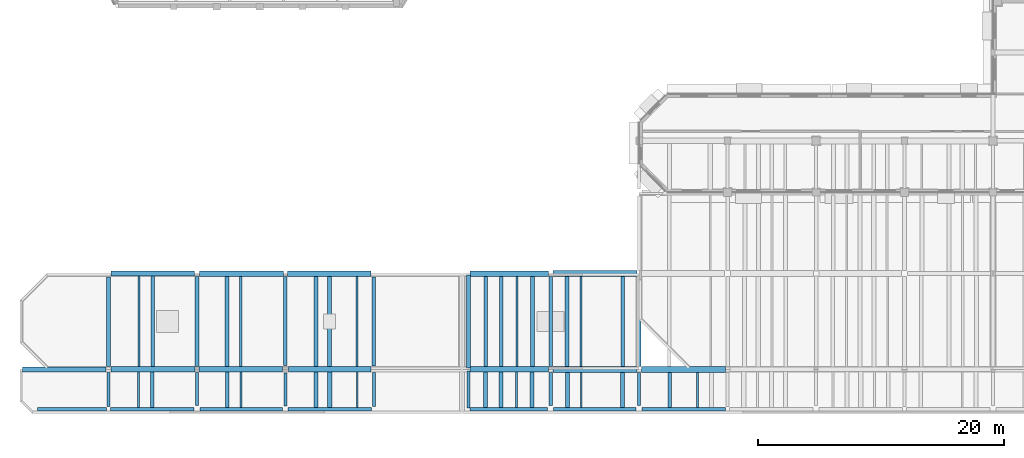
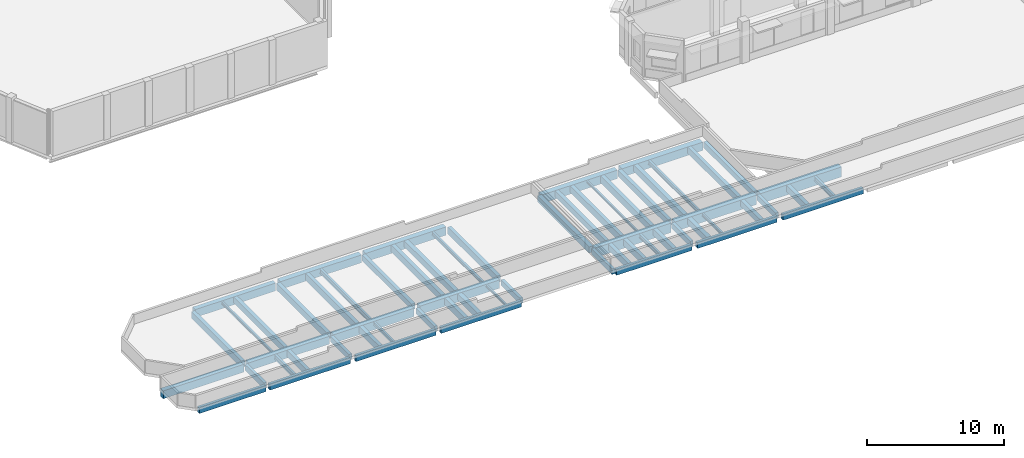
# One storey, part 18 of 105: 63 beams.
"""IFC4 building model written with IfcOpenShell, lengths in metres."""

from ifc_helpers import new_model, si_unit, direction, frame, origin, origin_2d, place, context, subcontext, project, spatial, rectangle, i_section, extrude, material, material_profile, profile_set, type_object, element, save


model = new_model("IFC4")

# Units and contexts
model_context = context("Model", 3, precision=1e-05, world=origin(), true_north=direction((0.0, 1.0)))
body_context = subcontext(model_context, "Body", "Model", "MODEL_VIEW")
ifc_project = project(units=[si_unit("LENGTHUNIT", "METRE"), si_unit("AREAUNIT", "SQUARE_METRE"), si_unit("VOLUMEUNIT", "CUBIC_METRE"), si_unit("PLANEANGLEUNIT", "RADIAN"), si_unit("MASSUNIT", "GRAM", prefix="KILO")], contexts=[model_context])

# Site, building, storey
site_placement = place(None, origin())
site = spatial("IfcSite", under=ifc_project, at=site_placement, CompositionType="ELEMENT")
building_placement = place(site_placement, origin())
building = spatial("IfcBuilding", under=site, at=building_placement, Name="Kelanivale Promenade Academy", CompositionType="ELEMENT")
storey_placement = place(building_placement, frame((0.0, 0.0, 4.199951171875)))
storey = spatial("IfcBuildingStorey", under=building, at=storey_placement, Name="L01", CompositionType="ELEMENT", Elevation=4.199951171875)

# Beams
ifc_material_1 = material(Name="Concrete C35/45", Category="concrete")
ifc_material_profile_1 = material_profile(ifc_material_1, rectangle(XDim=0.39990234375, YDim=0.699951171875, at=origin_2d()), Name="RC-BM 400x700")
ifc_profile_set_1 = profile_set([ifc_material_profile_1], Name="Concrete C35/45")
beam_type_1 = type_object("IfcBeamType", Name="BM-02 RC-BM 400x700", PredefinedType="BEAM", material=ifc_profile_set_1)
beam_1_placement = place(storey_placement, frame((0.219970703125, 3.60009765625, -0.58984375), z_axis=(1.0, 0.0, 0.0), x_axis=(0.0, 1.0, 0.0)))
element("IfcBeam", 1, at=beam_1_placement, inside=storey, type_object=beam_type_1, Name="L01 girder BM-02", PredefinedType="BEAM", context=body_context, shape_type="SweptSolid", body=[
    extrude(rectangle(XDim=0.39990234375, YDim=0.699951171875, at=origin_2d()), origin(), (0.0, 0.0, 1.0), 6.784912109375),
])
beam_2_placement = place(storey_placement, frame((7.419921875, 11.39990234375, -0.58984375), z_axis=(1.0, 0.0, 0.0), x_axis=(0.0, 1.0, 0.0)))
element("IfcBeam", 2, at=beam_2_placement, inside=storey, type_object=beam_type_1, Name="L01 girder BM-02", PredefinedType="BEAM", context=body_context, shape_type="SweptSolid", body=[
    extrude(rectangle(XDim=0.39990234375, YDim=0.699951171875, at=origin_2d()), origin(), (0.0, 0.0, 1.0), 6.78515625),
])
ifc_material_profile_2 = material_profile(ifc_material_1, rectangle(XDim=0.449951171875, YDim=0.699951171875, at=origin_2d()), Name="RC-BM 450x700")
ifc_profile_set_2 = profile_set([ifc_material_profile_2], Name="Concrete C35/45")
beam_type_2 = type_object("IfcBeamType", Name="BM-03 RC-BM 450x700", PredefinedType="BEAM", material=ifc_profile_set_2)
for number, where, z_axis, x_axis, name in (
    (3, (7.39501953125, 3.60009765625, -0.58984375), (1.0, 0.0, 0.0), (0.0, 1.0, 0.0), "L01 girder BM-03"),
    (4, (14.594970703125, 11.39990234375, -0.58984375), (1.0, 0.0, 0.0), (0.0, 1.0, 0.0), "L01 girder BM-03"),
):
    element("IfcBeam", number, at=place(storey_placement, frame(where, z_axis=z_axis, x_axis=x_axis)), inside=storey, type_object=beam_type_2, Name=name, PredefinedType="BEAM", context=body_context, shape_type="SweptSolid", body=[
        extrude(rectangle(XDim=0.449951171875, YDim=0.699951171875, at=origin_2d()), origin(), (0.0, 0.0, 1.0), 6.8349609375),
    ])
ifc_material_profile_3 = material_profile(ifc_material_1, rectangle(XDim=0.449951171875, YDim=0.75, at=origin_2d()), Name="RC-BM 450x750")
ifc_profile_set_3 = profile_set([ifc_material_profile_3], Name="Concrete C35/45")
beam_type_3 = type_object("IfcBeamType", Name="BM-04 RC-BM 450x750", PredefinedType="BEAM", material=ifc_profile_set_3)
beam_3_placement = place(storey_placement, frame((14.570068359375, 3.60009765625, -0.614990234375), z_axis=(1.0, 0.0, 0.0), x_axis=(0.0, 1.0, 0.0)))
element("IfcBeam", 5, at=beam_3_placement, inside=storey, type_object=beam_type_3, Name="L01 girder BM-04", PredefinedType="BEAM", context=body_context, shape_type="SweptSolid", body=[
    extrude(rectangle(XDim=0.449951171875, YDim=0.75, at=origin_2d()), origin(), (0.0, 0.0, 1.0), 6.784912109375),
])
beam_4_placement = place(storey_placement, frame((21.844970703125, 3.60009765625, -0.614990234375), z_axis=(1.0, 0.0, 0.0), x_axis=(0.0, 1.0, 0.0)))
element("IfcBeam", 6, at=beam_4_placement, inside=storey, type_object=beam_type_3, Name="L01 girder BM-04", PredefinedType="BEAM", context=body_context, shape_type="SweptSolid", body=[
    extrude(rectangle(XDim=0.449951171875, YDim=0.75, at=origin_2d()), origin(), (0.0, 0.0, 1.0), 6.735107421875),
])
beam_5_placement = place(storey_placement, frame((21.77001953125, 11.39990234375, -0.614990234375), z_axis=(1.0, 0.0, 0.0), x_axis=(0.0, 1.0, 0.0)))
element("IfcBeam", 7, at=beam_5_placement, inside=storey, type_object=beam_type_3, Name="L01 girder BM-04", PredefinedType="BEAM", context=body_context, shape_type="SweptSolid", body=[
    extrude(rectangle(XDim=0.449951171875, YDim=0.75, at=origin_2d()), origin(), (0.0, 0.0, 1.0), 6.784912109375),
])
beam_6_placement = place(storey_placement, frame((36.6220703125, 11.39990234375, -0.614990234375), z_axis=(1.0, 0.0, 0.0), x_axis=(0.0, 1.0, 0.0)))
element("IfcBeam", 8, at=beam_6_placement, inside=storey, type_object=beam_type_3, Name="L01 girder BM-04", PredefinedType="BEAM", context=body_context, shape_type="SweptSolid", body=[
    extrude(rectangle(XDim=0.449951171875, YDim=0.75, at=origin_2d()), origin(), (0.0, 0.0, 1.0), 6.3828125),
])
ifc_material_profile_4 = material_profile(ifc_material_1, rectangle(XDim=0.449951171875, YDim=0.85009765625, at=origin_2d()), Name="RC-BM 450x850")
ifc_profile_set_4 = profile_set([ifc_material_profile_4], Name="Concrete C35/45")
beam_type_4 = type_object("IfcBeamType", Name="BM-05 RC-BM 450x850", PredefinedType="BEAM", material=ifc_profile_set_4)
beam_7_placement = place(storey_placement, frame((36.6220703125, 3.60009765625, -0.6650390625), z_axis=(1.0, 0.0, 0.0), x_axis=(0.0, 1.0, 0.0)))
element("IfcBeam", 9, at=beam_7_placement, inside=storey, type_object=beam_type_4, Name="L01 girder BM-05", PredefinedType="BEAM", context=body_context, shape_type="SweptSolid", body=[
    extrude(rectangle(XDim=0.449951171875, YDim=0.85009765625, at=origin_2d()), origin(), (0.0, 0.0, 1.0), 6.407958984375),
])
ifc_material_profile_5 = material_profile(ifc_material_1, rectangle(XDim=0.5, YDim=0.75, at=origin_2d()), Name="RC-BM 500x750")
ifc_profile_set_5 = profile_set([ifc_material_profile_5], Name="Concrete C35/45")
beam_type_5 = type_object("IfcBeamType", Name="BM-06 RC-BM 500x750", PredefinedType="BEAM", material=ifc_profile_set_5)
beam_8_placement = place(storey_placement, frame((43.39501953125, 11.39990234375, -0.614990234375), z_axis=(1.0, 0.0, 0.0), x_axis=(0.0, 1.0, 0.0)))
element("IfcBeam", 10, at=beam_8_placement, inside=storey, type_object=beam_type_5, Name="L01 girder BM-06", PredefinedType="BEAM", context=body_context, shape_type="SweptSolid", body=[
    extrude(rectangle(XDim=0.5, YDim=0.75, at=origin_2d()), origin(), (0.0, 0.0, 1.0), 6.81005859375),
])
ifc_material_profile_6 = material_profile(ifc_material_1, rectangle(XDim=0.5, YDim=0.85009765625, at=origin_2d()), Name="RC-BM 500x850")
ifc_profile_set_6 = profile_set([ifc_material_profile_6], Name="Concrete C35/45")
beam_type_6 = type_object("IfcBeamType", Name="BM-07 RC-BM 500x850", PredefinedType="BEAM", material=ifc_profile_set_6)
beam_9_placement = place(storey_placement, frame((43.3701171875, 3.60009765625, -0.6650390625), z_axis=(1.0, 0.0, 0.0), x_axis=(0.0, 1.0, 0.0)))
element("IfcBeam", 11, at=beam_9_placement, inside=storey, type_object=beam_type_6, Name="L01 girder BM-07", PredefinedType="BEAM", context=body_context, shape_type="SweptSolid", body=[
    extrude(rectangle(XDim=0.5, YDim=0.85009765625, at=origin_2d()), origin(), (0.0, 0.0, 1.0), 6.85986328125),
])
ifc_material_profile_7 = material_profile(ifc_material_1, rectangle(XDim=0.5, YDim=0.89990234375, at=origin_2d()), Name="RC-BM 500x900")
ifc_profile_set_7 = profile_set([ifc_material_profile_7], Name="Concrete C35/45")
beam_type_7 = type_object("IfcBeamType", Name="BM-08 RC-BM 500x900", PredefinedType="BEAM", material=ifc_profile_set_7)
beam_10_placement = place(storey_placement, frame((50.570068359375, 3.60009765625, -0.68994140625), z_axis=(1.0, 0.0, 0.0), x_axis=(0.0, 1.0, 0.0)))
element("IfcBeam", 12, at=beam_10_placement, inside=storey, type_object=beam_type_7, Name="L01 girder BM-08", PredefinedType="BEAM", context=body_context, shape_type="SweptSolid", body=[
    extrude(rectangle(XDim=0.5, YDim=0.89990234375, at=origin_2d()), origin(), (0.0, 0.0, 1.0), 6.8349609375),
])
ifc_material_profile_8 = material_profile(ifc_material_1, rectangle(XDim=0.300048828125, YDim=0.5, at=origin_2d()), Name="RC-BM 300x500")
ifc_profile_set_8 = profile_set([ifc_material_profile_8], Name="Concrete C35/45")
beam_type_8 = type_object("IfcBeamType", Name="JS-01 RC-BM 300x500", PredefinedType="JOIST", material=ifc_profile_set_8)
beam_11_placement = place(storey_placement, frame((21.60009765625, 3.89501953125, -0.489990234375), z_axis=(0.0, 1.0, 0.0), x_axis=(-1.0, 0.0, 0.0)))
element("IfcBeam", 13, at=beam_11_placement, inside=storey, type_object=beam_type_8, Name="L01 beam JS-01", PredefinedType="JOIST", context=body_context, shape_type="SweptSolid", body=[
    extrude(rectangle(XDim=0.300048828125, YDim=0.5, at=origin_2d()), origin(), (0.0, 0.0, 1.0), 7.260009765625),
])
beam_12_placement = place(storey_placement, frame((50.39990234375, 3.844970703125, -0.489990234375), z_axis=(0.0, 1.0, 0.0), x_axis=(-1.0, 0.0, 0.0)))
element("IfcBeam", 14, at=beam_12_placement, inside=storey, type_object=beam_type_8, Name="L01 beam JS-01", PredefinedType="JOIST", context=body_context, shape_type="SweptSolid", body=[
    extrude(rectangle(XDim=0.300048828125, YDim=0.5, at=origin_2d()), origin(), (0.0, 0.0, 1.0), 7.31005859375),
])
ifc_material_profile_9 = material_profile(ifc_material_1, rectangle(XDim=0.300048828125, YDim=0.550048828125, at=origin_2d()), Name="RC-BM 300x550")
ifc_profile_set_9 = profile_set([ifc_material_profile_9], Name="Concrete C35/45")
beam_type_9 = type_object("IfcBeamType", Name="JS-02 RC-BM 300x550", PredefinedType="JOIST", material=ifc_profile_set_9)
beam_13_placement = place(storey_placement, frame((43.199951171875, 3.844970703125, -0.514892578125), z_axis=(0.0, 1.0, 0.0), x_axis=(-1.0, 0.0, 0.0)))
element("IfcBeam", 15, at=beam_13_placement, inside=storey, type_object=beam_type_9, Name="L01 beam JS-02", PredefinedType="JOIST", context=body_context, shape_type="SweptSolid", body=[
    extrude(rectangle(XDim=0.300048828125, YDim=0.550048828125, at=origin_2d()), origin(), (0.0, 0.0, 1.0), 7.31005859375),
])
for number, where, z_axis, x_axis, name in (
    (16, (10.77490234375, 0.489990234375, -0.514892578125), (0.0, 1.0, 0.0), (-1.0, 0.0, 0.0), "L01 secondary sub-beam JS-02"),
    (17, (37.888916015625, 0.489990234375, -0.514892578125), (0.0, 1.0, 0.0), (-1.0, 0.0, 0.0), "L01 secondary sub-beam JS-02"),
):
    element("IfcBeam", number, at=place(storey_placement, frame(where, z_axis=z_axis, x_axis=x_axis)), inside=storey, type_object=beam_type_9, Name=name, PredefinedType="JOIST", context=body_context, shape_type="SweptSolid", body=[
        extrude(rectangle(XDim=0.300048828125, YDim=0.550048828125, at=origin_2d()), origin(), (0.0, 0.0, 1.0), 2.885009765625),
    ])
beam_14_placement = place(storey_placement, frame((49.037109375, 0.489990234375, -0.514892578125), z_axis=(0.0, 1.0, 0.0), x_axis=(-1.0, 0.0, 0.0)))
element("IfcBeam", 18, at=beam_14_placement, inside=storey, type_object=beam_type_9, Name="L01 secondary sub-beam JS-02", PredefinedType="JOIST", context=body_context, shape_type="SweptSolid", body=[
    extrude(rectangle(XDim=0.300048828125, YDim=0.550048828125, at=origin_2d()), origin(), (0.0, 0.0, 1.0), 2.860107421875),
])
beam_15_placement = place(storey_placement, frame((10.81201171875, 3.824951171875, -0.514892578125), z_axis=(0.0, 1.0, 0.0), x_axis=(-1.0, 0.0, 0.0)))
element("IfcBeam", 19, at=beam_15_placement, inside=storey, type_object=beam_type_9, Name="L01 secondary sub-beam JS-02", PredefinedType="JOIST", context=body_context, shape_type="SweptSolid", body=[
    extrude(rectangle(XDim=0.300048828125, YDim=0.550048828125, at=origin_2d()), origin(), (0.0, 0.0, 1.0), 7.375),
])
beam_16_placement = place(storey_placement, frame((37.89892578125, 3.824951171875, -0.514892578125), z_axis=(0.0, 1.0, 0.0), x_axis=(-1.0, 0.0, 0.0)))
element("IfcBeam", 20, at=beam_16_placement, inside=storey, type_object=beam_type_9, Name="L01 secondary sub-beam JS-02", PredefinedType="JOIST", context=body_context, shape_type="SweptSolid", body=[
    extrude(rectangle(XDim=0.300048828125, YDim=0.550048828125, at=origin_2d()), origin(), (0.0, 0.0, 1.0), 7.35009765625),
])
beam_17_placement = place(storey_placement, frame((49.070068359375, 3.85009765625, -0.514892578125), z_axis=(0.0, 1.0, 0.0), x_axis=(-1.0, 0.0, 0.0)))
element("IfcBeam", 21, at=beam_17_placement, inside=storey, type_object=beam_type_9, Name="L01 secondary sub-beam JS-02", PredefinedType="JOIST", context=body_context, shape_type="SweptSolid", body=[
    extrude(rectangle(XDim=0.300048828125, YDim=0.550048828125, at=origin_2d()), origin(), (0.0, 0.0, 1.0), 7.2998046875),
])
ifc_material_profile_10 = material_profile(ifc_material_1, rectangle(XDim=0.300048828125, YDim=0.60009765625, at=origin_2d()), Name="RC-BM 300x600")
ifc_profile_set_10 = profile_set([ifc_material_profile_10], Name="Concrete C35/45")
beam_type_10 = type_object("IfcBeamType", Name="JS-03 RC-BM 300x600", PredefinedType="JOIST", material=ifc_profile_set_10)
beam_18_placement = place(storey_placement, frame((7.199951171875, 3.844970703125, -0.5400390625), z_axis=(0.0, 1.0, 0.0), x_axis=(-1.0, 0.0, 0.0)))
element("IfcBeam", 22, at=beam_18_placement, inside=storey, type_object=beam_type_10, Name="L01 beam JS-03", PredefinedType="JOIST", context=body_context, shape_type="SweptSolid", body=[
    extrude(rectangle(XDim=0.300048828125, YDim=0.60009765625, at=origin_2d()), origin(), (0.0, 0.0, 1.0), 7.284912109375),
])
beam_19_placement = place(storey_placement, frame((28.800048828125, 3.8701171875, -0.5400390625), z_axis=(0.0, 1.0, 0.0), x_axis=(-1.0, 0.0, 0.0)))
element("IfcBeam", 23, at=beam_19_placement, inside=storey, type_object=beam_type_10, Name="L01 beam JS-03", PredefinedType="JOIST", context=body_context, shape_type="SweptSolid", body=[
    extrude(rectangle(XDim=0.300048828125, YDim=0.60009765625, at=origin_2d()), origin(), (0.0, 0.0, 1.0), 7.23486328125),
])
for number, where, z_axis, x_axis, name in (
    (24, (16.882080078125, 0.489990234375, -0.5400390625), (0.0, 1.0, 0.0), (-1.0, 0.0, 0.0), "L01 secondary sub-beam JS-03"),
    (25, (39.155029296875, 0.489990234375, -0.5400390625), (0.0, 1.0, 0.0), (-1.0, 0.0, 0.0), "L01 secondary sub-beam JS-03"),
):
    element("IfcBeam", number, at=place(storey_placement, frame(where, z_axis=z_axis, x_axis=x_axis)), inside=storey, type_object=beam_type_10, Name=name, PredefinedType="JOIST", context=body_context, shape_type="SweptSolid", body=[
        extrude(rectangle(XDim=0.300048828125, YDim=0.60009765625, at=origin_2d()), origin(), (0.0, 0.0, 1.0), 2.885009765625),
    ])
beam_20_placement = place(storey_placement, frame((52.89794921875, 0.489990234375, -0.5400390625), z_axis=(0.0, 1.0, 0.0), x_axis=(-1.0, 0.0, 0.0)))
element("IfcBeam", 26, at=beam_20_placement, inside=storey, type_object=beam_type_10, Name="L01 secondary sub-beam JS-03", PredefinedType="JOIST", context=body_context, shape_type="SweptSolid", body=[
    extrude(rectangle(XDim=0.300048828125, YDim=0.60009765625, at=origin_2d()), origin(), (0.0, 0.0, 1.0), 2.860107421875),
])
for number, where, z_axis, x_axis, name in (
    (27, (16.847900390625, 3.824951171875, -0.5400390625), (0.0, 1.0, 0.0), (-1.0, 0.0, 0.0), "L01 secondary sub-beam JS-03"),
    (28, (39.175048828125, 3.824951171875, -0.5400390625), (0.0, 1.0, 0.0), (-1.0, 0.0, 0.0), "L01 secondary sub-beam JS-03"),
):
    element("IfcBeam", number, at=place(storey_placement, frame(where, z_axis=z_axis, x_axis=x_axis)), inside=storey, type_object=beam_type_10, Name=name, PredefinedType="JOIST", context=body_context, shape_type="SweptSolid", body=[
        extrude(rectangle(XDim=0.300048828125, YDim=0.60009765625, at=origin_2d()), origin(), (0.0, 0.0, 1.0), 7.35009765625),
    ])
ifc_material_profile_11 = material_profile(ifc_material_1, rectangle(XDim=0.320068359375, YDim=0.60009765625, at=origin_2d()), Name="RC-BM 320x600")
ifc_profile_set_11 = profile_set([ifc_material_profile_11], Name="Concrete C35/45")
beam_type_11 = type_object("IfcBeamType", Name="JS-05 RC-BM 320x600", PredefinedType="JOIST", material=ifc_profile_set_11)
beam_21_placement = place(storey_placement, frame((14.39990234375, 3.844970703125, -0.5400390625), z_axis=(0.0, 1.0, 0.0), x_axis=(-1.0, 0.0, 0.0)))
element("IfcBeam", 29, at=beam_21_placement, inside=storey, type_object=beam_type_11, Name="L01 beam JS-05", PredefinedType="JOIST", context=body_context, shape_type="SweptSolid", body=[
    extrude(rectangle(XDim=0.320068359375, YDim=0.60009765625, at=origin_2d()), origin(), (0.0, 0.0, 1.0), 7.31005859375),
])
for number, where, z_axis, x_axis, name in (
    (30, (24.090087890625, 0.489990234375, -0.5400390625), (0.0, 1.0, 0.0), (-1.0, 0.0, 0.0), "L01 secondary sub-beam JS-05"),
    (31, (41.68798828125, 0.489990234375, -0.5400390625), (0.0, 1.0, 0.0), (-1.0, 0.0, 0.0), "L01 secondary sub-beam JS-05"),
):
    element("IfcBeam", number, at=place(storey_placement, frame(where, z_axis=z_axis, x_axis=x_axis)), inside=storey, type_object=beam_type_11, Name=name, PredefinedType="JOIST", context=body_context, shape_type="SweptSolid", body=[
        extrude(rectangle(XDim=0.320068359375, YDim=0.60009765625, at=origin_2d()), origin(), (0.0, 0.0, 1.0), 2.885009765625),
    ])
for number, where, z_axis, x_axis, name in (
    (32, (24.08203125, 3.824951171875, -0.5400390625), (0.0, 1.0, 0.0), (-1.0, 0.0, 0.0), "L01 secondary sub-beam JS-05"),
    (33, (41.72802734375, 3.824951171875, -0.5400390625), (0.0, 1.0, 0.0), (-1.0, 0.0, 0.0), "L01 secondary sub-beam JS-05"),
):
    element("IfcBeam", number, at=place(storey_placement, frame(where, z_axis=z_axis, x_axis=x_axis)), inside=storey, type_object=beam_type_11, Name=name, PredefinedType="JOIST", context=body_context, shape_type="SweptSolid", body=[
        extrude(rectangle(XDim=0.320068359375, YDim=0.60009765625, at=origin_2d()), origin(), (0.0, 0.0, 1.0), 7.35009765625),
    ])
ifc_material_profile_12 = material_profile(ifc_material_1, rectangle(XDim=0.35009765625, YDim=0.550048828125, at=origin_2d()), Name="RC-BM 350x550")
ifc_profile_set_12 = profile_set([ifc_material_profile_12], Name="Concrete C35/45")
beam_type_12 = type_object("IfcBeamType", Name="JS-06 RC-BM 350x550", PredefinedType="JOIST", material=ifc_profile_set_12)
beam_22_placement = place(storey_placement, frame((36.5, 3.721923828125, -0.514892578125), z_axis=(0.0, 1.0, 0.0), x_axis=(-1.0, 0.0, 0.0)))
element("IfcBeam", 34, at=beam_22_placement, inside=storey, type_object=beam_type_12, Name="L01 beam JS-06", PredefinedType="JOIST", context=body_context, shape_type="SweptSolid", body=[
    extrude(rectangle(XDim=0.35009765625, YDim=0.550048828125, at=origin_2d()), origin(), (0.0, 0.0, 1.0), 7.55615234375),
])
beam_23_placement = place(storey_placement, frame((25.2119140625, 0.489990234375, -0.514892578125), z_axis=(0.0, 1.0, 0.0), x_axis=(-1.0, 0.0, 0.0)))
element("IfcBeam", 35, at=beam_23_placement, inside=storey, type_object=beam_type_12, Name="L01 secondary sub-beam JS-06", PredefinedType="JOIST", context=body_context, shape_type="SweptSolid", body=[
    extrude(rectangle(XDim=0.35009765625, YDim=0.550048828125, at=origin_2d()), origin(), (0.0, 0.0, 1.0), 2.885009765625),
])
beam_24_placement = place(storey_placement, frame((44.56298828125, 0.489990234375, -0.514892578125), z_axis=(0.0, 1.0, 0.0), x_axis=(-1.0, 0.0, 0.0)))
element("IfcBeam", 36, at=beam_24_placement, inside=storey, type_object=beam_type_12, Name="L01 secondary sub-beam JS-06", PredefinedType="JOIST", context=body_context, shape_type="SweptSolid", body=[
    extrude(rectangle(XDim=0.35009765625, YDim=0.550048828125, at=origin_2d()), origin(), (0.0, 0.0, 1.0), 2.860107421875),
])
beam_25_placement = place(storey_placement, frame((25.199951171875, 3.824951171875, -0.514892578125), z_axis=(0.0, 1.0, 0.0), x_axis=(-1.0, 0.0, 0.0)))
element("IfcBeam", 37, at=beam_25_placement, inside=storey, type_object=beam_type_12, Name="L01 secondary sub-beam JS-06", PredefinedType="JOIST", context=body_context, shape_type="SweptSolid", body=[
    extrude(rectangle(XDim=0.35009765625, YDim=0.550048828125, at=origin_2d()), origin(), (0.0, 0.0, 1.0), 7.35009765625),
])
beam_26_placement = place(storey_placement, frame((44.530029296875, 3.85009765625, -0.514892578125), z_axis=(0.0, 1.0, 0.0), x_axis=(-1.0, 0.0, 0.0)))
element("IfcBeam", 38, at=beam_26_placement, inside=storey, type_object=beam_type_12, Name="L01 secondary sub-beam JS-06", PredefinedType="JOIST", context=body_context, shape_type="SweptSolid", body=[
    extrude(rectangle(XDim=0.35009765625, YDim=0.550048828125, at=origin_2d()), origin(), (0.0, 0.0, 1.0), 7.2998046875),
])
ifc_material_profile_13 = material_profile(ifc_material_1, rectangle(XDim=0.25, YDim=0.5, at=origin_2d()), Name="RC-BM 250x500")
ifc_profile_set_13 = profile_set([ifc_material_profile_13], Name="Concrete C35/45")
beam_type_13 = type_object("IfcBeamType", Name="LN-02 RC-BM 250x500", PredefinedType="LINTEL", material=ifc_profile_set_13)
beam_27_placement = place(storey_placement, frame((7.199951171875, 0.594970703125, -0.489990234375), z_axis=(0.0, 1.0, 0.0), x_axis=(-1.0, 0.0, 0.0)))
element("IfcBeam", 39, at=beam_27_placement, inside=storey, type_object=beam_type_13, Name="L01 beam LN-02", PredefinedType="LINTEL", context=body_context, shape_type="SweptSolid", body=[
    extrude(rectangle(XDim=0.25, YDim=0.5, at=origin_2d()), origin(), (0.0, 0.0, 1.0), 2.760009765625),
])
beam_28_placement = place(storey_placement, frame((14.39990234375, 0.64501953125, -0.489990234375), z_axis=(0.0, 1.0, 0.0), x_axis=(-1.0, 0.0, 0.0)))
element("IfcBeam", 40, at=beam_28_placement, inside=storey, type_object=beam_type_13, Name="L01 beam LN-02", PredefinedType="LINTEL", context=body_context, shape_type="SweptSolid", body=[
    extrude(rectangle(XDim=0.25, YDim=0.5, at=origin_2d()), origin(), (0.0, 0.0, 1.0), 2.7099609375),
])
beam_29_placement = place(storey_placement, frame((21.60009765625, 0.6201171875, -0.489990234375), z_axis=(0.0, 1.0, 0.0), x_axis=(-1.0, 0.0, 0.0)))
element("IfcBeam", 41, at=beam_29_placement, inside=storey, type_object=beam_type_13, Name="L01 beam LN-02", PredefinedType="LINTEL", context=body_context, shape_type="SweptSolid", body=[
    extrude(rectangle(XDim=0.25, YDim=0.5, at=origin_2d()), origin(), (0.0, 0.0, 1.0), 2.684814453125),
])
beam_30_placement = place(storey_placement, frame((28.800048828125, 0.594970703125, -0.489990234375), z_axis=(0.0, 1.0, 0.0), x_axis=(-1.0, 0.0, 0.0)))
element("IfcBeam", 42, at=beam_30_placement, inside=storey, type_object=beam_type_13, Name="L01 beam LN-02", PredefinedType="LINTEL", context=body_context, shape_type="SweptSolid", body=[
    extrude(rectangle(XDim=0.25, YDim=0.5, at=origin_2d()), origin(), (0.0, 0.0, 1.0), 2.735107421875),
])
beam_31_placement = place(storey_placement, frame((36.5, 0.471923828125, -0.489990234375), z_axis=(0.0, 1.0, 0.0), x_axis=(-1.0, 0.0, 0.0)))
element("IfcBeam", 43, at=beam_31_placement, inside=storey, type_object=beam_type_13, Name="L01 beam LN-02", PredefinedType="LINTEL", context=body_context, shape_type="SweptSolid", body=[
    extrude(rectangle(XDim=0.25, YDim=0.5, at=origin_2d()), origin(), (0.0, 0.0, 1.0), 3.006103515625),
])
for number, where, z_axis, x_axis, name in (
    (44, (43.199951171875, 0.64501953125, -0.489990234375), (0.0, 1.0, 0.0), (-1.0, 0.0, 0.0), "L01 beam LN-02"),
    (45, (50.39990234375, 0.64501953125, -0.489990234375), (0.0, 1.0, 0.0), (-1.0, 0.0, 0.0), "L01 beam LN-02"),
):
    element("IfcBeam", number, at=place(storey_placement, frame(where, z_axis=z_axis, x_axis=x_axis)), inside=storey, type_object=beam_type_13, Name=name, PredefinedType="LINTEL", context=body_context, shape_type="SweptSolid", body=[
        extrude(rectangle(XDim=0.25, YDim=0.5, at=origin_2d()), origin(), (0.0, 0.0, 1.0), 2.7099609375),
    ])
ifc_material_2 = material(Name="Steel S355", Category="steel")
ifc_material_profile_14 = material_profile(ifc_material_2, i_section(OverallWidth=0.13330078125, OverallDepth=0.203125, WebThickness=0.005615234375, FlangeThickness=0.0078125, FilletRadius=0.007568359375, at=origin_2d()), Name="UB 203x133x25")
ifc_profile_set_14 = profile_set([ifc_material_profile_14], Name="Steel S355")
beam_type_14 = type_object("IfcBeamType", Name="SB-01 UB 203x133x25", PredefinedType="JOIST", material=ifc_profile_set_14)
beam_32_placement = place(storey_placement, frame((27.45703125, 0.489990234375, -0.342041015625), z_axis=(0.0, 1.0, 0.0), x_axis=(-1.0, 0.0, 0.0)))
element("IfcBeam", 46, at=beam_32_placement, inside=storey, type_object=beam_type_14, Name="L01 secondary sub-beam SB-01", PredefinedType="JOIST", context=body_context, shape_type="SweptSolid", body=[
    extrude(i_section(OverallWidth=0.13330078125, OverallDepth=0.203125, WebThickness=0.005615234375, FlangeThickness=0.0078125, FilletRadius=0.007568359375, at=origin_2d()), origin(), (0.0, 0.0, 1.0), 2.885009765625),
])
beam_33_placement = place(storey_placement, frame((40.451904296875, 3.824951171875, -0.342041015625), z_axis=(0.0, 1.0, 0.0), x_axis=(-1.0, 0.0, 0.0)))
element("IfcBeam", 47, at=beam_33_placement, inside=storey, type_object=beam_type_14, Name="L01 secondary sub-beam SB-01", PredefinedType="JOIST", context=body_context, shape_type="SweptSolid", body=[
    extrude(i_section(OverallWidth=0.13330078125, OverallDepth=0.203125, WebThickness=0.005615234375, FlangeThickness=0.0078125, FilletRadius=0.007568359375, at=origin_2d()), origin(), (0.0, 0.0, 1.0), 7.35009765625),
])
ifc_material_profile_15 = material_profile(ifc_material_2, i_section(OverallWidth=0.14599609375, OverallDepth=0.25146484375, WebThickness=0.006103515625, FlangeThickness=0.008544921875, FilletRadius=0.007568359375, at=origin_2d()), Name="UB 254x146x31")
ifc_profile_set_15 = profile_set([ifc_material_profile_15], Name="Steel S355")
beam_type_15 = type_object("IfcBeamType", Name="SB-02 UB 254x146x31", PredefinedType="JOIST", material=ifc_profile_set_15)
beam_34_placement = place(storey_placement, frame((45.681884765625, 0.489990234375, -0.365966796875), z_axis=(0.0, 1.0, 0.0), x_axis=(-1.0, 0.0, 0.0)))
element("IfcBeam", 48, at=beam_34_placement, inside=storey, type_object=beam_type_15, Name="L01 secondary sub-beam SB-02", PredefinedType="JOIST", context=body_context, shape_type="SweptSolid", body=[
    extrude(i_section(OverallWidth=0.14599609375, OverallDepth=0.25146484375, WebThickness=0.006103515625, FlangeThickness=0.008544921875, FilletRadius=0.007568359375, at=origin_2d()), origin(), (0.0, 0.0, 1.0), 2.860107421875),
])
beam_35_placement = place(storey_placement, frame((9.681884765625, 3.824951171875, -0.365966796875), z_axis=(0.0, 1.0, 0.0), x_axis=(-1.0, 0.0, 0.0)))
element("IfcBeam", 49, at=beam_35_placement, inside=storey, type_object=beam_type_15, Name="L01 secondary sub-beam SB-02", PredefinedType="JOIST", context=body_context, shape_type="SweptSolid", body=[
    extrude(i_section(OverallWidth=0.14599609375, OverallDepth=0.25146484375, WebThickness=0.006103515625, FlangeThickness=0.008544921875, FilletRadius=0.007568359375, at=origin_2d()), origin(), (0.0, 0.0, 1.0), 7.375),
])
ifc_material_profile_16 = material_profile(ifc_material_2, i_section(OverallWidth=0.1650390625, OverallDepth=0.303466796875, WebThickness=0.006103515625, FlangeThickness=0.01025390625, FilletRadius=0.0087890625, at=origin_2d()), Name="UB 305x165x40")
ifc_profile_set_16 = profile_set([ifc_material_profile_16], Name="Steel S355")
beam_type_16 = type_object("IfcBeamType", Name="SB-03 UB 305x165x40", PredefinedType="BEAM", material=ifc_profile_set_16)
beam_36_placement = place(storey_placement, frame((18.0, 0.489990234375, -0.391845703125), z_axis=(0.0, 1.0, 0.0), x_axis=(-1.0, 0.0, 0.0)))
element("IfcBeam", 50, at=beam_36_placement, inside=storey, type_object=beam_type_16, Name="L01 secondary sub-beam SB-03", PredefinedType="BEAM", context=body_context, shape_type="SweptSolid", body=[
    extrude(i_section(OverallWidth=0.1650390625, OverallDepth=0.303466796875, WebThickness=0.006103515625, FlangeThickness=0.01025390625, FilletRadius=0.0087890625, at=origin_2d()), origin(), (0.0, 0.0, 1.0), 2.885009765625),
])
beam_37_placement = place(storey_placement, frame((27.43701171875, 3.824951171875, -0.391845703125), z_axis=(0.0, 1.0, 0.0), x_axis=(-1.0, 0.0, 0.0)))
element("IfcBeam", 51, at=beam_37_placement, inside=storey, type_object=beam_type_16, Name="L01 secondary sub-beam SB-03", PredefinedType="BEAM", context=body_context, shape_type="SweptSolid", body=[
    extrude(i_section(OverallWidth=0.1650390625, OverallDepth=0.303466796875, WebThickness=0.006103515625, FlangeThickness=0.01025390625, FilletRadius=0.0087890625, at=origin_2d()), origin(), (0.0, 0.0, 1.0), 7.35009765625),
])
ifc_material_profile_17 = material_profile(ifc_material_2, i_section(OverallWidth=0.17138671875, OverallDepth=0.35498046875, WebThickness=0.00732421875, FlangeThickness=0.011474609375, FilletRadius=0.01025390625, at=origin_2d()), Name="UB 356x171x51")
ifc_profile_set_17 = profile_set([ifc_material_profile_17], Name="Steel S355")
beam_type_17 = type_object("IfcBeamType", Name="SB-04 UB 356x171x51", PredefinedType="BEAM", material=ifc_profile_set_17)
beam_38_placement = place(storey_placement, frame((40.422119140625, 0.489990234375, -0.41796875), z_axis=(0.0, 1.0, 0.0), x_axis=(-1.0, 0.0, 0.0)))
element("IfcBeam", 52, at=beam_38_placement, inside=storey, type_object=beam_type_17, Name="L01 secondary sub-beam SB-04", PredefinedType="BEAM", context=body_context, shape_type="SweptSolid", body=[
    extrude(i_section(OverallWidth=0.17138671875, OverallDepth=0.35498046875, WebThickness=0.00732421875, FlangeThickness=0.011474609375, FilletRadius=0.01025390625, at=origin_2d()), origin(), (0.0, 0.0, 1.0), 2.885009765625),
])
beam_39_placement = place(storey_placement, frame((45.6650390625, 3.85009765625, -0.41796875), z_axis=(0.0, 1.0, 0.0), x_axis=(-1.0, 0.0, 0.0)))
element("IfcBeam", 53, at=beam_39_placement, inside=storey, type_object=beam_type_17, Name="L01 secondary sub-beam SB-04", PredefinedType="BEAM", context=body_context, shape_type="SweptSolid", body=[
    extrude(i_section(OverallWidth=0.17138671875, OverallDepth=0.35498046875, WebThickness=0.00732421875, FlangeThickness=0.011474609375, FilletRadius=0.01025390625, at=origin_2d()), origin(), (0.0, 0.0, 1.0), 7.2998046875),
])
ifc_material_profile_18 = material_profile(ifc_material_2, i_section(OverallWidth=0.177978515625, OverallDepth=0.406494140625, WebThickness=0.0078125, FlangeThickness=0.0126953125, FilletRadius=0.01025390625, at=origin_2d()), Name="UB 406x178x60")
ifc_profile_set_18 = profile_set([ifc_material_profile_18], Name="Steel S355")
beam_type_18 = type_object("IfcBeamType", Name="SB-05 UB 406x178x60", PredefinedType="BEAM", material=ifc_profile_set_18)
beam_40_placement = place(storey_placement, frame((9.64794921875, 0.489990234375, -0.44287109375), z_axis=(0.0, 1.0, 0.0), x_axis=(-1.0, 0.0, 0.0)))
element("IfcBeam", 54, at=beam_40_placement, inside=storey, type_object=beam_type_18, Name="L01 secondary sub-beam SB-05", PredefinedType="BEAM", context=body_context, shape_type="SweptSolid", body=[
    extrude(i_section(OverallWidth=0.177978515625, OverallDepth=0.406494140625, WebThickness=0.0078125, FlangeThickness=0.0126953125, FilletRadius=0.01025390625, at=origin_2d()), origin(), (0.0, 0.0, 1.0), 2.885009765625),
])
beam_41_placement = place(storey_placement, frame((55.152099609375, 0.489990234375, -0.44287109375), z_axis=(0.0, 1.0, 0.0), x_axis=(-1.0, 0.0, 0.0)))
element("IfcBeam", 55, at=beam_41_placement, inside=storey, type_object=beam_type_18, Name="L01 secondary sub-beam SB-05", PredefinedType="BEAM", context=body_context, shape_type="SweptSolid", body=[
    extrude(i_section(OverallWidth=0.177978515625, OverallDepth=0.406494140625, WebThickness=0.0078125, FlangeThickness=0.0126953125, FilletRadius=0.01025390625, at=origin_2d()), origin(), (0.0, 0.0, 1.0), 2.860107421875),
])
beam_42_placement = place(storey_placement, frame((17.97509765625, 3.824951171875, -0.44287109375), z_axis=(0.0, 1.0, 0.0), x_axis=(-1.0, 0.0, 0.0)))
element("IfcBeam", 56, at=beam_42_placement, inside=storey, type_object=beam_type_18, Name="L01 secondary sub-beam SB-05", PredefinedType="BEAM", context=body_context, shape_type="SweptSolid", body=[
    extrude(i_section(OverallWidth=0.177978515625, OverallDepth=0.406494140625, WebThickness=0.0078125, FlangeThickness=0.0126953125, FilletRadius=0.01025390625, at=origin_2d()), origin(), (0.0, 0.0, 1.0), 7.35009765625),
])
ifc_material_profile_19 = material_profile(ifc_material_1, rectangle(XDim=0.280029296875, YDim=0.5, at=origin_2d()), Name="RC-BM 280x500")
ifc_profile_set_19 = profile_set([ifc_material_profile_19], Name="Concrete C35/45")
beam_type_19 = type_object("IfcBeamType", Name="SP-01 RC-BM 280x500", PredefinedType="SPANDREL", material=ifc_profile_set_19)
beam_43_placement = place(storey_placement, frame((1.419921875, 0.35009765625, -0.489990234375), z_axis=(1.0, 0.0, 0.0), x_axis=(0.0, 1.0, 0.0)))
element("IfcBeam", 57, at=beam_43_placement, inside=storey, type_object=beam_type_19, Name="L01 girder SP-01", PredefinedType="SPANDREL", context=body_context, shape_type="SweptSolid", body=[
    extrude(rectangle(XDim=0.280029296875, YDim=0.5, at=origin_2d()), origin(), (0.0, 0.0, 1.0), 5.610107421875),
])
beam_44_placement = place(storey_placement, frame((7.3701171875, 0.35009765625, -0.489990234375), z_axis=(1.0, 0.0, 0.0), x_axis=(0.0, 1.0, 0.0)))
element("IfcBeam", 58, at=beam_44_placement, inside=storey, type_object=beam_type_19, Name="L01 girder SP-01", PredefinedType="SPANDREL", context=body_context, shape_type="SweptSolid", body=[
    extrude(rectangle(XDim=0.280029296875, YDim=0.5, at=origin_2d()), origin(), (0.0, 0.0, 1.0), 6.784912109375),
])
beam_45_placement = place(storey_placement, frame((14.64501953125, 0.35009765625, -0.489990234375), z_axis=(1.0, 0.0, 0.0), x_axis=(0.0, 1.0, 0.0)))
element("IfcBeam", 59, at=beam_45_placement, inside=storey, type_object=beam_type_19, Name="L01 girder SP-01", PredefinedType="SPANDREL", context=body_context, shape_type="SweptSolid", body=[
    extrude(rectangle(XDim=0.280029296875, YDim=0.5, at=origin_2d()), origin(), (0.0, 0.0, 1.0), 6.73486328125),
])
beam_46_placement = place(storey_placement, frame((21.820068359375, 0.35009765625, -0.489990234375), z_axis=(1.0, 0.0, 0.0), x_axis=(0.0, 1.0, 0.0)))
element("IfcBeam", 60, at=beam_46_placement, inside=storey, type_object=beam_type_19, Name="L01 girder SP-01", PredefinedType="SPANDREL", context=body_context, shape_type="SweptSolid", body=[
    extrude(rectangle(XDim=0.280029296875, YDim=0.5, at=origin_2d()), origin(), (0.0, 0.0, 1.0), 6.784912109375),
])
beam_47_placement = place(storey_placement, frame((36.6220703125, 0.35009765625, -0.489990234375), z_axis=(1.0, 0.0, 0.0), x_axis=(0.0, 1.0, 0.0)))
element("IfcBeam", 61, at=beam_47_placement, inside=storey, type_object=beam_type_19, Name="L01 girder SP-01", PredefinedType="SPANDREL", context=body_context, shape_type="SweptSolid", body=[
    extrude(rectangle(XDim=0.280029296875, YDim=0.5, at=origin_2d()), origin(), (0.0, 0.0, 1.0), 6.3330078125),
])
beam_48_placement = place(storey_placement, frame((43.445068359375, 0.35009765625, -0.489990234375), z_axis=(1.0, 0.0, 0.0), x_axis=(0.0, 1.0, 0.0)))
element("IfcBeam", 62, at=beam_48_placement, inside=storey, type_object=beam_type_19, Name="L01 girder SP-01", PredefinedType="SPANDREL", context=body_context, shape_type="SweptSolid", body=[
    extrude(rectangle(XDim=0.280029296875, YDim=0.5, at=origin_2d()), origin(), (0.0, 0.0, 1.0), 6.7099609375),
])
beam_49_placement = place(storey_placement, frame((50.64501953125, 0.35009765625, -0.489990234375), z_axis=(1.0, 0.0, 0.0), x_axis=(0.0, 1.0, 0.0)))
element("IfcBeam", 63, at=beam_49_placement, inside=storey, type_object=beam_type_19, Name="L01 girder SP-01", PredefinedType="SPANDREL", context=body_context, shape_type="SweptSolid", body=[
    extrude(rectangle(XDim=0.280029296875, YDim=0.5, at=origin_2d()), origin(), (0.0, 0.0, 1.0), 6.784912109375),
])

save(model, "model.ifc")
